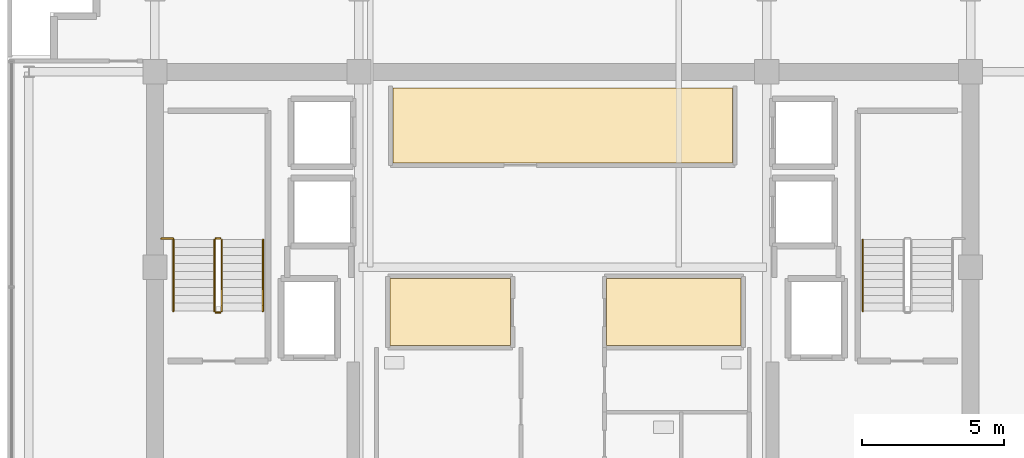
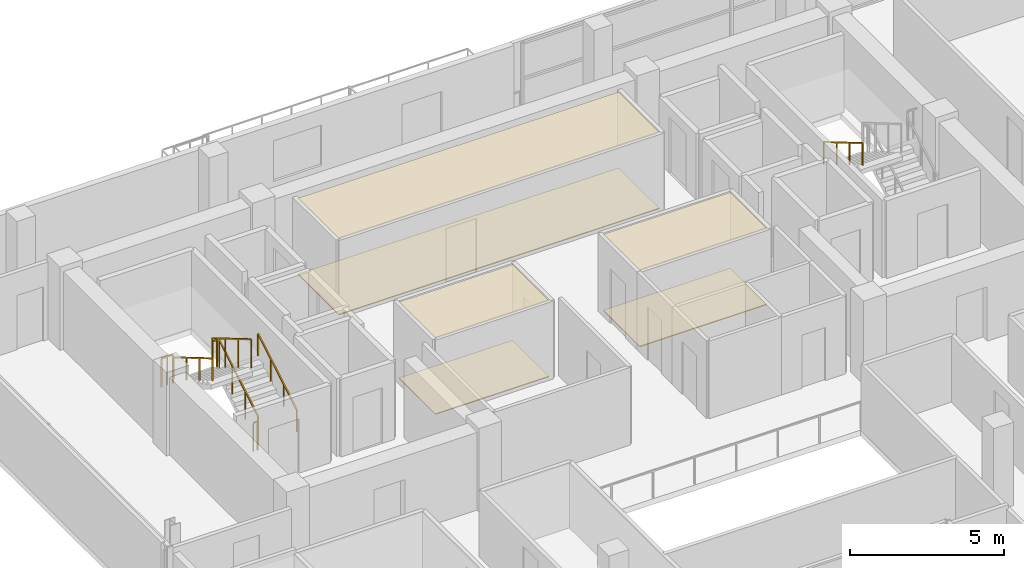
# One storey, part 21 of 24: 8 railings, 6 coverings.
"""IFC4 building model written with IfcOpenShell, lengths in metres."""

from ifc_helpers import new_model, si_unit, direction, frame, origin, origin_2d, place, context, subcontext, project, spatial, polyline, rectangle, outline, extrude, material, layer, layer_set, type_object, element, save


model = new_model("IFC4")

# Units and contexts
model_context = context("Model", 3, precision=1e-05, world=origin(), true_north=direction((0.0, 1.0)))
body_context = subcontext(model_context, "Body", "Model", "MODEL_VIEW")
ifc_project = project(units=[si_unit("LENGTHUNIT", "METRE"), si_unit("AREAUNIT", "SQUARE_METRE"), si_unit("VOLUMEUNIT", "CUBIC_METRE"), si_unit("PLANEANGLEUNIT", "RADIAN"), si_unit("MASSUNIT", "GRAM", prefix="KILO")], contexts=[model_context])

# Site, building, storey
site_placement = place(None, origin())
site = spatial("IfcSite", under=ifc_project, at=site_placement, CompositionType="ELEMENT")
building_placement = place(site_placement, origin())
building = spatial("IfcBuilding", under=site, at=building_placement, Name="Zarnakvel Exchange Tower", CompositionType="ELEMENT")
storey_placement = place(building_placement, frame((0.0, 0.0, 235.300048828125)))
storey = spatial("IfcBuildingStorey", under=building, at=storey_placement, Name="L66", CompositionType="ELEMENT", Elevation=235.300048828125)

# Coverings
ifc_material_1 = material(Name="Perforated Bronze Acoustic Metal Ceiling", Category="aluminium")
ifc_layer_1 = layer(ifc_material_1, 0.02001953125)
ifc_layer_set_1 = layer_set([ifc_layer_1], Name="Perforated Bronze Acoustic Metal Ceiling")
covering_type_1 = type_object("IfcCoveringType", Name="CLG-01", PredefinedType="CEILING", material=ifc_layer_set_1)
covering_1_placement = place(storey_placement, frame((0.0, 0.0, 3.014892578125)))
element("IfcCovering", 1, at=covering_1_placement, inside=storey, type_object=covering_type_1, Name="L66 Suspended Acoustic Ceiling (Market Data Archive Suite)", PredefinedType="CEILING", context=body_context, shape_type="SweptSolid", body=[
    extrude(outline(polyline([(-6.0, 12.919921875), (6.0, 12.919921875), (6.0, 10.280029296875), (-6.0, 10.280029296875), (-6.0, 12.919921875)])), origin(), (0.0, 0.0, 1.0), 0.02001953125),
])
covering_2_placement = place(storey_placement, frame((0.0, 0.0, 3.014892578125)))
element("IfcCovering", 2, at=covering_2_placement, inside=storey, type_object=covering_type_1, Name="L66 Suspended Acoustic Ceiling (Sovereign Compliance Office)", PredefinedType="CEILING", context=body_context, shape_type="SweptSolid", body=[
    extrude(outline(polyline([(-6.10009765625, 6.199951171875), (-1.85009765625, 6.199951171875), (-1.85009765625, 3.840087890625), (-6.10009765625, 3.840087890625), (-6.10009765625, 6.199951171875)])), origin(), (0.0, 0.0, 1.0), 0.02001953125),
])
covering_3_placement = place(storey_placement, frame((0.0, 0.0, 3.014892578125)))
element("IfcCovering", 3, at=covering_3_placement, inside=storey, type_object=covering_type_1, Name="L66 Suspended Acoustic Ceiling (Depository Legal Office)", PredefinedType="CEILING", context=body_context, shape_type="SweptSolid", body=[
    extrude(outline(polyline([(1.550048828125, 6.199951171875), (6.300048828125, 6.199951171875), (6.300048828125, 3.840087890625), (1.550048828125, 3.840087890625), (1.550048828125, 6.199951171875)])), origin(), (0.0, 0.0, 1.0), 0.02001953125),
])
ifc_material_2 = material(Name="Heavy-Duty Raised Access Floor Panel", Category="steel")
ifc_layer_2 = layer(ifc_material_2, 0.034912109375)
ifc_layer_set_2 = layer_set([ifc_layer_2], Name="Heavy-Duty Raised Access Floor Panel")
covering_type_2 = type_object("IfcCoveringType", Name="FLR-02", PredefinedType="FLOORING", material=ifc_layer_set_2)
covering_4_placement = place(storey_placement, origin())
element("IfcCovering", 4, at=covering_4_placement, inside=storey, type_object=covering_type_2, Name="L66 Floor Finish (Market Data Archive Suite)", PredefinedType="FLOORING", context=body_context, shape_type="SweptSolid", body=[
    extrude(outline(polyline([(-6.0, 12.919921875), (6.0, 12.919921875), (6.0, 10.280029296875), (-6.0, 10.280029296875), (-6.0, 12.919921875)])), origin(), (0.0, 0.0, 1.0), 0.034912109375),
])
covering_5_placement = place(storey_placement, origin())
element("IfcCovering", 5, at=covering_5_placement, inside=storey, type_object=covering_type_2, Name="L66 Floor Finish (Sovereign Compliance Office)", PredefinedType="FLOORING", context=body_context, shape_type="SweptSolid", body=[
    extrude(outline(polyline([(-6.10009765625, 6.199951171875), (-1.85009765625, 6.199951171875), (-1.85009765625, 3.840087890625), (-6.10009765625, 3.840087890625), (-6.10009765625, 6.199951171875)])), origin(), (0.0, 0.0, 1.0), 0.034912109375),
])
covering_6_placement = place(storey_placement, origin())
element("IfcCovering", 6, at=covering_6_placement, inside=storey, type_object=covering_type_2, Name="L66 Floor Finish (Depository Legal Office)", PredefinedType="FLOORING", context=body_context, shape_type="SweptSolid", body=[
    extrude(outline(polyline([(1.550048828125, 6.199951171875), (6.300048828125, 6.199951171875), (6.300048828125, 3.840087890625), (1.550048828125, 3.840087890625), (1.550048828125, 6.199951171875)])), origin(), (0.0, 0.0, 1.0), 0.034912109375),
])

# Railings
ifc_material_3 = material(Name="Brushed Stainless Steel", Category="steel")
railing_type_1 = type_object("IfcRailingType", Name="HR-01", PredefinedType="HANDRAIL", material=ifc_material_3)
railing_1_placement = place(storey_placement, frame((-10.590087890625, 5.050048828125, 0.1650390625)))
element("IfcRailing", 7, at=railing_1_placement, inside=storey, type_object=railing_type_1, Name="L66 ST-01 stair handrail 1", PredefinedType="HANDRAIL", context=body_context, shape_type="SweptSolid", body=[
    extrude(rectangle(XDim=0.048095703125, YDim=0.048095703125, at=origin_2d()), frame((0.0, 0.0, 0.8759765625), z_axis=(0.0, 0.861560626758, 0.507654692109), x_axis=(-1.0, 0.0, 0.0)), (0.0, 0.0, 1.0), 2.925048828125),
    extrude(rectangle(XDim=0.0419921875, YDim=0.0419921875, at=origin_2d()), origin(), (0.0, 0.0, 1.0), 0.851806640625),
    extrude(rectangle(XDim=0.0419921875, YDim=0.0419921875, at=origin_2d()), frame((0.0, 0.840087890625, 0.494873046875)), (0.0, 0.0, 1.0), 0.851806640625),
    extrude(rectangle(XDim=0.0419921875, YDim=0.0419921875, at=origin_2d()), frame((0.0, 1.679931640625, 0.989990234375)), (0.0, 0.0, 1.0), 0.851806640625),
    extrude(rectangle(XDim=0.0419921875, YDim=0.0419921875, at=origin_2d()), frame((0.0, 2.52001953125, 1.48486328125)), (0.0, 0.0, 1.0), 0.851806640625),
])
for number, where, name in (
    (8, (-13.75, 7.570068359375, 1.81494140625), "L66 ST-01 stair handrail 2"),
    (9, (10.590087890625, 7.570068359375, 1.81494140625), "L66 ST-02 stair handrail 2"),
):
    element("IfcRailing", number, at=place(storey_placement, frame(where)), inside=storey, type_object=railing_type_1, Name=name, PredefinedType="HANDRAIL", context=body_context, shape_type="SweptSolid", body=[
        extrude(rectangle(XDim=0.048095703125, YDim=0.048095703125, at=origin_2d()), frame((0.0, 0.0, 0.8759765625), z_axis=(0.0, -0.86152411907, 0.507716645641), x_axis=(1.0, 0.0, 0.0)), (0.0, 0.0, 1.0), 2.925048828125),
        extrude(rectangle(XDim=0.0419921875, YDim=0.0419921875, at=origin_2d()), origin(), (0.0, 0.0, 1.0), 0.851806640625),
        extrude(rectangle(XDim=0.0419921875, YDim=0.0419921875, at=origin_2d()), frame((0.0, -0.840087890625, 0.4951171875)), (0.0, 0.0, 1.0), 0.851806640625),
        extrude(rectangle(XDim=0.0419921875, YDim=0.0419921875, at=origin_2d()), frame((0.0, -1.679931640625, 0.989990234375)), (0.0, 0.0, 1.0), 0.851806640625),
        extrude(rectangle(XDim=0.0419921875, YDim=0.0419921875, at=origin_2d()), frame((0.0, -2.52001953125, 1.485107421875)), (0.0, 0.0, 1.0), 0.851806640625),
    ])
ifc_material_4 = material(Name="Architectural Bronze Anodised Aluminium", Category="aluminium")
railing_type_2 = type_object("IfcRailingType", Name="SG-01", PredefinedType="GUARDRAIL", material=ifc_material_4)
railing_2_placement = place(storey_placement, frame((-12.0400390625, 5.050048828125, 0.1650390625)))
element("IfcRailing", 10, at=railing_2_placement, inside=storey, type_object=railing_type_2, Name="L66 ST-01 stair guard 1", PredefinedType="GUARDRAIL", context=body_context, shape_type="SweptSolid", body=[
    extrude(rectangle(XDim=0.048095703125, YDim=0.048095703125, at=origin_2d()), frame((0.0, 0.0, 1.1259765625), z_axis=(0.0, 0.861560626758, 0.507654692109), x_axis=(-1.0, 0.0, 0.0)), (0.0, 0.0, 1.0), 2.925048828125),
    extrude(rectangle(XDim=0.0419921875, YDim=0.0419921875, at=origin_2d()), origin(), (0.0, 0.0, 1.0), 1.101806640625),
    extrude(rectangle(XDim=0.0419921875, YDim=0.0419921875, at=origin_2d()), frame((0.0, 0.840087890625, 0.494873046875)), (0.0, 0.0, 1.0), 1.101806640625),
    extrude(rectangle(XDim=0.0419921875, YDim=0.0419921875, at=origin_2d()), frame((0.0, 1.679931640625, 0.989990234375)), (0.0, 0.0, 1.0), 1.101806640625),
    extrude(rectangle(XDim=0.0419921875, YDim=0.0419921875, at=origin_2d()), frame((0.0, 2.52001953125, 1.48486328125)), (0.0, 0.0, 1.0), 1.101806640625),
])
railing_3_placement = place(storey_placement, frame((-12.090087890625, 7.6201171875, 1.64990234375)))
element("IfcRailing", 11, at=railing_3_placement, inside=storey, type_object=railing_type_2, Name="L66 ST-01 stair guard 2", PredefinedType="GUARDRAIL", context=body_context, shape_type="SweptSolid", body=[
    extrude(rectangle(XDim=0.048095703125, YDim=0.048095703125, at=origin_2d()), frame((0.0, 0.0, 1.1259765625), z_axis=(-1.0, 0.0, 0.0), x_axis=(0.0, -1.0, 0.0)), (0.0, 0.0, 1.0), 0.159912109375),
    extrude(rectangle(XDim=0.0419921875, YDim=0.0419921875, at=origin_2d()), origin(), (0.0, 0.0, 1.0), 1.101806640625),
    extrude(rectangle(XDim=0.0419921875, YDim=0.0419921875, at=origin_2d()), frame((-0.159912109375, 0.0, 0.0)), (0.0, 0.0, 1.0), 1.101806640625),
])
railing_4_placement = place(storey_placement, frame((-12.300048828125, 7.570068359375, 1.81494140625)))
element("IfcRailing", 12, at=railing_4_placement, inside=storey, type_object=railing_type_2, Name="L66 ST-01 stair guard 3", PredefinedType="GUARDRAIL", context=body_context, shape_type="SweptSolid", body=[
    extrude(rectangle(XDim=0.048095703125, YDim=0.048095703125, at=origin_2d()), frame((0.0, 0.0, 1.1259765625), z_axis=(0.0, -0.86152411907, 0.507716645641), x_axis=(1.0, 0.0, 0.0)), (0.0, 0.0, 1.0), 2.925048828125),
    extrude(rectangle(XDim=0.0419921875, YDim=0.0419921875, at=origin_2d()), origin(), (0.0, 0.0, 1.0), 1.101806640625),
    extrude(rectangle(XDim=0.0419921875, YDim=0.0419921875, at=origin_2d()), frame((0.0, -0.840087890625, 0.4951171875)), (0.0, 0.0, 1.0), 1.101806640625),
    extrude(rectangle(XDim=0.0419921875, YDim=0.0419921875, at=origin_2d()), frame((0.0, -1.679931640625, 0.989990234375)), (0.0, 0.0, 1.0), 1.101806640625),
    extrude(rectangle(XDim=0.0419921875, YDim=0.0419921875, at=origin_2d()), frame((0.0, -2.52001953125, 1.485107421875)), (0.0, 0.0, 1.0), 1.101806640625),
])
railing_5_placement = place(storey_placement, frame((-12.090087890625, 5.0, 0.0)))
element("IfcRailing", 13, at=railing_5_placement, inside=storey, type_object=railing_type_2, Name="L66 ST-01 stair guard 4", PredefinedType="GUARDRAIL", context=body_context, shape_type="SweptSolid", body=[
    extrude(rectangle(XDim=0.048095703125, YDim=0.048095703125, at=origin_2d()), frame((0.0, 0.0, 1.1259765625), z_axis=(-1.0, 0.0, 0.0), x_axis=(0.0, -1.0, 0.0)), (0.0, 0.0, 1.0), 0.159912109375),
    extrude(rectangle(XDim=0.0419921875, YDim=0.0419921875, at=origin_2d()), origin(), (0.0, 0.0, 1.0), 1.101806640625),
    extrude(rectangle(XDim=0.0419921875, YDim=0.0419921875, at=origin_2d()), frame((-0.159912109375, 0.0, 0.0)), (0.0, 0.0, 1.0), 1.101806640625),
])
railing_6_placement = place(storey_placement, frame((-14.179931640625, 7.610107421875, 1.64990234375)))
element("IfcRailing", 14, at=railing_6_placement, inside=storey, type_object=railing_type_2, Name="L66 ST-01 Landing Slot Guardrail", PredefinedType="GUARDRAIL", context=body_context, shape_type="SweptSolid", body=[
    extrude(rectangle(XDim=0.048095703125, YDim=0.048095703125, at=origin_2d()), frame((0.0, 0.0, 1.1259765625), z_axis=(1.0, 0.0, 0.0), x_axis=(0.0, 1.0, 0.0)), (0.0, 0.0, 1.0), 0.429931640625),
    extrude(rectangle(XDim=0.0419921875, YDim=0.0419921875, at=origin_2d()), origin(), (0.0, 0.0, 1.0), 1.101806640625),
    extrude(rectangle(XDim=0.0419921875, YDim=0.0419921875, at=origin_2d()), frame((0.21484375, 0.0, 0.0)), (0.0, 0.0, 1.0), 1.101806640625),
    extrude(rectangle(XDim=0.0419921875, YDim=0.0419921875, at=origin_2d()), frame((0.429931640625, 0.0, 0.0)), (0.0, 0.0, 1.0), 1.101806640625),
])

save(model, "model.ifc")
